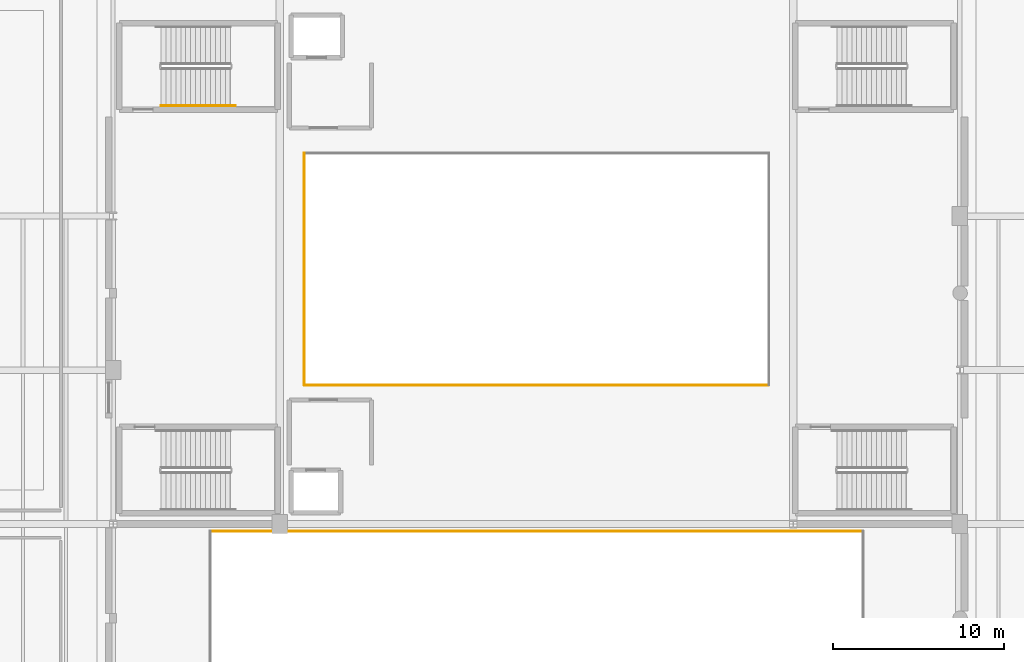
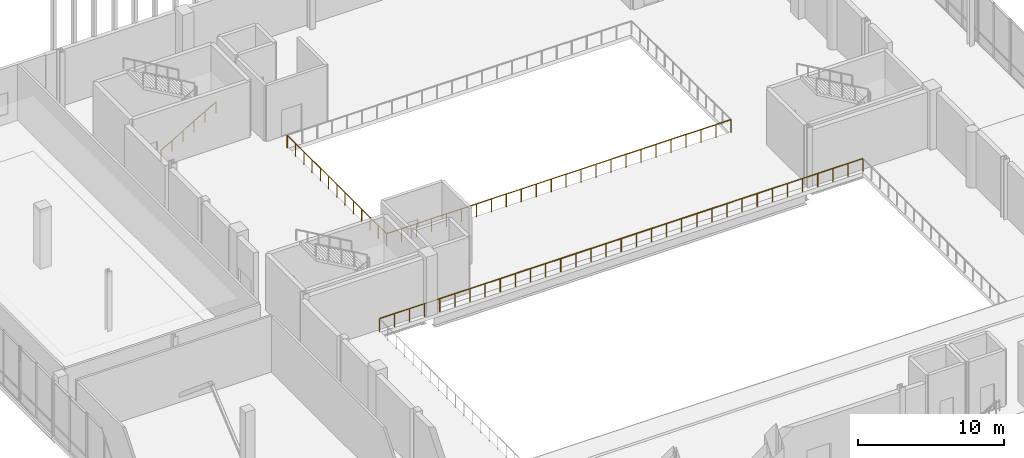
# One storey, part 75 of 81: 4 railings.
"""IFC4 building model written with IfcOpenShell, lengths in metres."""

import ifcopenshell
import ifcopenshell.guid

model = None  # the IFC model being written
_history = None  # IfcOwnerHistory: only IFC2X3 demands one
_inside = {}  # id of a spatial element -> (the spatial element, [elements in it])
_under = {}  # id of a project, library or spatial element -> (it, [spatial elements below it])
_declared = {}  # id of a project -> (the project, [libraries it declares])
_typed = {}  # id of a type object -> (the type object, [elements of that type])
_made_of = {}  # id of a material, layer set ... -> (it, [elements and type objects made of it])


def new_model(schema):
    """Start an empty IFC model of exactly this schema.

    Asked for "IFC4X3", IfcOpenShell would pick the latest addendum, in which some entities
    have other attributes; the version numbers below select the first issue.
    IFC2X3 requires an IfcOwnerHistory on every rooted entity: one is made here for all.
    """
    global model, _history
    if schema == "IFC4X3":
        model = ifcopenshell.file(schema_version=(4, 3, 0, 0))
    else:
        model = ifcopenshell.file(schema=schema)
    _inside.clear()
    _under.clear()
    _declared.clear()
    _typed.clear()
    _made_of.clear()
    _history = None
    if model.schema == "IFC2X3":
        org = make("IfcOrganization", Name="unknown")
        user = make(
            "IfcPersonAndOrganization",
            ThePerson=make("IfcPerson", FamilyName="unknown"),
            TheOrganization=org,
        )
        app = make(
            "IfcApplication",
            ApplicationDeveloper=org,
            Version="unknown",
            ApplicationFullName="unknown",
            ApplicationIdentifier="unknown",
        )
        _history = make(
            "IfcOwnerHistory",
            OwningUser=user,
            OwningApplication=app,
            ChangeAction="ADDED",
            CreationDate=0,
        )
    return model


def make(cls, **values):
    """One entity of the class cls with the attributes given. An attribute that is None is left unset."""
    return model.create_entity(
        cls, **{name: value for name, value in values.items() if value is not None}
    )


def rooted(cls, **values):
    """An entity with a GlobalId (a new one), such as an element, a storey or a relation."""
    return make(cls, GlobalId=ifcopenshell.guid.new(), OwnerHistory=_history, **values)


def si_unit(unit_type, name, prefix=None):
    """IfcSIUnit, for example si_unit("LENGTHUNIT", "METRE", prefix="MILLI")."""
    return make("IfcSIUnit", UnitType=unit_type, Prefix=prefix, Name=name)


def assignment(units):
    """IfcUnitAssignment: the units of a project."""
    return None if units is None else make("IfcUnitAssignment", Units=units)


def point(xyz):
    """IfcCartesianPoint."""
    return None if xyz is None else make("IfcCartesianPoint", Coordinates=xyz)


def direction(xyz):
    """IfcDirection."""
    return None if xyz is None else make("IfcDirection", DirectionRatios=xyz)


def frame(location, z_axis=None, x_axis=None):
    """IfcAxis2Placement3D, a coordinate frame: its origin and axes. An axis left out is left unset."""
    return make(
        "IfcAxis2Placement3D",
        Location=point(location),
        Axis=direction(z_axis),
        RefDirection=direction(x_axis),
    )


def frame_2d(location, x_axis=None):
    """IfcAxis2Placement2D, a coordinate frame in the plane: its origin and x axis."""
    return make(
        "IfcAxis2Placement2D", Location=point(location), RefDirection=direction(x_axis)
    )


def origin():
    """The frame at (0, 0, 0) with its axes left unset."""
    return frame((0.0, 0.0, 0.0))


def origin_2d():
    """The frame at (0, 0) in the plane with its x axis left unset."""
    return frame_2d((0.0, 0.0))


def place(relative_to, where):
    """IfcLocalPlacement: puts the frame where relative to a parent placement (None: the world)."""
    return make(
        "IfcLocalPlacement", PlacementRelTo=relative_to, RelativePlacement=where
    )


def context(
    kind, dimensions, precision=None, world=None, true_north=None, identifier=None
):
    """IfcGeometricRepresentationContext, for example the 3D "Model" context."""
    return make(
        "IfcGeometricRepresentationContext",
        ContextIdentifier=identifier,
        ContextType=kind,
        CoordinateSpaceDimension=dimensions,
        Precision=precision,
        WorldCoordinateSystem=world,
        TrueNorth=true_north,
    )


def subcontext(parent, identifier, kind, view, scale=None):
    """IfcGeometricRepresentationSubContext, for example "Body" below "Model"."""
    return make(
        "IfcGeometricRepresentationSubContext",
        ContextIdentifier=identifier,
        ContextType=kind,
        ParentContext=parent,
        TargetScale=scale,
        TargetView=view,
    )


def project(units=None, contexts=None):
    """IfcProject with its units and contexts."""
    return rooted(
        "IfcProject",
        Name="project",
        RepresentationContexts=contexts,
        UnitsInContext=assignment(units),
    )


def spatial(cls, under=None, at=None, **own):
    """A site, building, storey or space (cls), placed at a placement, below another one or the project."""
    s = rooted(cls, ObjectPlacement=at, **own)
    if under is not None:
        _under.setdefault(under.id(), (under, []))[1].append(s)
    return s


def profile(cls, at=None, kind="AREA", **sizes):
    """A parametric profile (cls). Its sizes go by their IFC names, for example OverallWidth=200.0."""
    return make(cls, ProfileType=kind, Position=at, **sizes)


def circle(**sizes):
    """IfcCircleProfileDef."""
    return profile("IfcCircleProfileDef", **sizes)


def extrude(swept, where, along, depth):
    """IfcExtrudedAreaSolid: the profile swept, set in the frame where, extruded along a direction by depth."""
    return make(
        "IfcExtrudedAreaSolid",
        SweptArea=swept,
        Position=where,
        ExtrudedDirection=direction(along),
        Depth=depth,
    )


def shape(context_of_items, identifier, shape_type, items):
    """IfcShapeRepresentation: the items that make up one representation, for example the "Body"."""
    return make(
        "IfcShapeRepresentation",
        ContextOfItems=context_of_items,
        RepresentationIdentifier=identifier,
        RepresentationType=shape_type,
        Items=items,
    )


def material(Name=None, Category=None):
    """IfcMaterial."""
    return make("IfcMaterial", Name=Name, Category=Category)


def made_of(thing, what):
    """Note that an element or type object is made of a material, layer set ...; save() writes the relation."""
    if what is not None:
        _made_of.setdefault(what.id(), (what, []))[1].append(thing)
    return thing


def type_object(cls, material=None, **own):
    """A type object (cls), such as IfcWallType, which elements share."""
    return made_of(rooted(cls, **own), material)


def element(
    cls,
    number,
    at=None,
    inside=None,
    cuts=None,
    type_object=None,
    material=None,
    context=None,
    identifier="Body",
    shape_type=None,
    held_by="IfcProductDefinitionShape",
    body=None,
    shapes=None,
    **own,
):
    """One element of the class cls, such as IfcWall. Its Tag is "e" and its number.

    at: its placement. inside: the storey or other place that contains it. cuts: it is an
    opening in that element (IfcRelVoidsElement). A single representation is given by context,
    identifier, shape_type and body (its items); several are given by shapes. held_by: the class
    of the entity that holds the representations. save() writes the other relations.
    """
    e = rooted(cls, Tag="e%d" % number, ObjectPlacement=at, **own)
    if body is not None:
        shapes = [shape(context, identifier, shape_type, body)]
    if shapes is not None:
        e.Representation = make(held_by, Representations=shapes)
    if inside is not None:
        _inside.setdefault(inside.id(), (inside, []))[1].append(e)
    if cuts is not None:
        rooted(
            "IfcRelVoidsElement", RelatingBuildingElement=cuts, RelatedOpeningElement=e
        )
    if type_object is not None:
        _typed.setdefault(type_object.id(), (type_object, []))[1].append(e)
    return made_of(e, material)


def aggregate(whole, parts):
    """IfcRelAggregates: a whole, such as a stair, and the parts it consists of."""
    return rooted("IfcRelAggregates", RelatingObject=whole, RelatedObjects=parts)


def save(model, path):
    """Write the relations noted so far, then the file.

    IfcRelAggregates (storeys below a building ...), IfcRelContainedInSpatialStructure (elements
    in a storey), IfcRelDefinesByType, IfcRelAssociatesMaterial and IfcRelDeclares: one each for
    every whole, place, type object, material and project.
    """
    for whole, parts in _under.values():
        aggregate(whole, parts)
    for where, things in _inside.values():
        rooted(
            "IfcRelContainedInSpatialStructure",
            RelatedElements=things,
            RelatingStructure=where,
        )
    for kind, things in _typed.values():
        rooted("IfcRelDefinesByType", RelatedObjects=things, RelatingType=kind)
    for what, things in _made_of.values():
        rooted("IfcRelAssociatesMaterial", RelatedObjects=things, RelatingMaterial=what)
    for by, libraries in _declared.values():
        rooted("IfcRelDeclares", RelatingContext=by, RelatedDefinitions=libraries)
    model.write(path)


model = new_model("IFC4")

# Units and contexts
model_context = context("Model", 3, precision=1e-05, world=origin(), true_north=direction((0.0, 1.0)))
body_context = subcontext(model_context, "Body", "Model", "MODEL_VIEW")
ifc_project = project(units=[si_unit("LENGTHUNIT", "METRE"), si_unit("AREAUNIT", "SQUARE_METRE"), si_unit("VOLUMEUNIT", "CUBIC_METRE"), si_unit("PLANEANGLEUNIT", "RADIAN"), si_unit("MASSUNIT", "GRAM", prefix="KILO")], contexts=[model_context])

# Site, building, storey
site_placement = place(None, origin())
site = spatial("IfcSite", under=ifc_project, at=site_placement, CompositionType="ELEMENT")
building_placement = place(site_placement, origin())
building = spatial("IfcBuilding", under=site, at=building_placement, Name="Trimount Lyric Opera House", CompositionType="ELEMENT")
storey_placement = place(building_placement, frame((0.0, 0.0, 5.0)))
storey = spatial("IfcBuildingStorey", under=building, at=storey_placement, Name="L01", CompositionType="ELEMENT", Elevation=5.0)

# Railings
ifc_material_1 = material(Name="Bronze and Laminated Acoustic Glass", Category="glass")
railing_type_1 = type_object("IfcRailingType", Name="RL-BAL112", PredefinedType="BALUSTRADE", material=ifc_material_1)
railing_1_placement = place(storey_placement, frame((108.080078125, 83.580078125, 0.0)))
element("IfcRailing", 1, at=railing_1_placement, inside=storey, type_object=railing_type_1, Name="L01 atrium and balcony guard GRD-AUD-L01-N", PredefinedType="BALUSTRADE", context=body_context, shape_type="SweptSolid", body=[
    extrude(circle(Radius=0.02734375, at=origin_2d()), frame((0.0, 0.0, 1.0927734375), z_axis=(-1.0, 0.0, 0.0), x_axis=(0.0, -1.0, 0.0)), (0.0, 0.0, 1.0), 38.16015625),
    extrude(circle(Radius=0.02099609375, at=origin_2d()), origin(), (0.0, 0.0, 1.0), 1.065185546875),
    extrude(circle(Radius=0.02099609375, at=origin_2d()), frame((-1.1923828125, 0.0, 0.0)), (0.0, 0.0, 1.0), 1.065185546875),
    extrude(circle(Radius=0.02099609375, at=origin_2d()), frame((-2.385009765625, 0.0, 0.0)), (0.0, 0.0, 1.0), 1.065185546875),
    extrude(circle(Radius=0.02099609375, at=origin_2d()), frame((-3.57763671875, 0.0, 0.0)), (0.0, 0.0, 1.0), 1.065185546875),
    extrude(circle(Radius=0.02099609375, at=origin_2d()), frame((-4.77001953125, 0.0, 0.0)), (0.0, 0.0, 1.0), 1.065185546875),
    extrude(circle(Radius=0.02099609375, at=origin_2d()), frame((-5.96240234375, 0.0, 0.0)), (0.0, 0.0, 1.0), 1.065185546875),
    extrude(circle(Radius=0.02099609375, at=origin_2d()), frame((-7.155029296875, 0.0, 0.0)), (0.0, 0.0, 1.0), 1.065185546875),
    extrude(circle(Radius=0.02099609375, at=origin_2d()), frame((-8.34765625, 0.0, 0.0)), (0.0, 0.0, 1.0), 1.065185546875),
    extrude(circle(Radius=0.02099609375, at=origin_2d()), frame((-9.5400390625, 0.0, 0.0)), (0.0, 0.0, 1.0), 1.065185546875),
    extrude(circle(Radius=0.02099609375, at=origin_2d()), frame((-10.732421875, 0.0, 0.0)), (0.0, 0.0, 1.0), 1.065185546875),
    extrude(circle(Radius=0.02099609375, at=origin_2d()), frame((-11.925048828125, 0.0, 0.0)), (0.0, 0.0, 1.0), 1.065185546875),
    extrude(circle(Radius=0.02099609375, at=origin_2d()), frame((-13.11767578125, 0.0, 0.0)), (0.0, 0.0, 1.0), 1.065185546875),
    extrude(circle(Radius=0.02099609375, at=origin_2d()), frame((-14.31005859375, 0.0, 0.0)), (0.0, 0.0, 1.0), 1.065185546875),
    extrude(circle(Radius=0.02099609375, at=origin_2d()), frame((-15.50244140625, 0.0, 0.0)), (0.0, 0.0, 1.0), 1.065185546875),
    extrude(circle(Radius=0.02099609375, at=origin_2d()), frame((-16.695068359375, 0.0, 0.0)), (0.0, 0.0, 1.0), 1.065185546875),
    extrude(circle(Radius=0.02099609375, at=origin_2d()), frame((-17.8876953125, 0.0, 0.0)), (0.0, 0.0, 1.0), 1.065185546875),
    extrude(circle(Radius=0.02099609375, at=origin_2d()), frame((-19.080078125, 0.0, 0.0)), (0.0, 0.0, 1.0), 1.065185546875),
    extrude(circle(Radius=0.02099609375, at=origin_2d()), frame((-20.2724609375, 0.0, 0.0)), (0.0, 0.0, 1.0), 1.065185546875),
    extrude(circle(Radius=0.02099609375, at=origin_2d()), frame((-21.465087890625, 0.0, 0.0)), (0.0, 0.0, 1.0), 1.065185546875),
    extrude(circle(Radius=0.02099609375, at=origin_2d()), frame((-22.65771484375, 0.0, 0.0)), (0.0, 0.0, 1.0), 1.065185546875),
    extrude(circle(Radius=0.02099609375, at=origin_2d()), frame((-23.85009765625, 0.0, 0.0)), (0.0, 0.0, 1.0), 1.065185546875),
    extrude(circle(Radius=0.02099609375, at=origin_2d()), frame((-25.04248046875, 0.0, 0.0)), (0.0, 0.0, 1.0), 1.065185546875),
    extrude(circle(Radius=0.02099609375, at=origin_2d()), frame((-26.235107421875, 0.0, 0.0)), (0.0, 0.0, 1.0), 1.065185546875),
    extrude(circle(Radius=0.02099609375, at=origin_2d()), frame((-27.427734375, 0.0, 0.0)), (0.0, 0.0, 1.0), 1.065185546875),
    extrude(circle(Radius=0.02099609375, at=origin_2d()), frame((-28.6201171875, 0.0, 0.0)), (0.0, 0.0, 1.0), 1.065185546875),
    extrude(circle(Radius=0.02099609375, at=origin_2d()), frame((-29.8125, 0.0, 0.0)), (0.0, 0.0, 1.0), 1.065185546875),
    extrude(circle(Radius=0.02099609375, at=origin_2d()), frame((-31.005126953125, 0.0, 0.0)), (0.0, 0.0, 1.0), 1.065185546875),
    extrude(circle(Radius=0.02099609375, at=origin_2d()), frame((-32.19775390625, 0.0, 0.0)), (0.0, 0.0, 1.0), 1.065185546875),
    extrude(circle(Radius=0.02099609375, at=origin_2d()), frame((-33.39013671875, 0.0, 0.0)), (0.0, 0.0, 1.0), 1.065185546875),
    extrude(circle(Radius=0.02099609375, at=origin_2d()), frame((-34.58251953125, 0.0, 0.0)), (0.0, 0.0, 1.0), 1.065185546875),
    extrude(circle(Radius=0.02099609375, at=origin_2d()), frame((-35.775146484375, 0.0, 0.0)), (0.0, 0.0, 1.0), 1.065185546875),
    extrude(circle(Radius=0.02099609375, at=origin_2d()), frame((-36.9677734375, 0.0, 0.0)), (0.0, 0.0, 1.0), 1.065185546875),
    extrude(circle(Radius=0.02099609375, at=origin_2d()), frame((-38.16015625, 0.0, 0.0)), (0.0, 0.0, 1.0), 1.065185546875),
])
ifc_material_2 = material(Name="Brushed Stainless Steel 316", Category="steel")
railing_type_2 = type_object("IfcRailingType", Name="RL-GRD110", PredefinedType="GUARDRAIL", material=ifc_material_2)
railing_2_placement = place(storey_placement, frame((75.419921875, 92.1201171875, 0.0)))
element("IfcRailing", 2, at=railing_2_placement, inside=storey, type_object=railing_type_2, Name="L01 atrium and balcony guard GRD-FLY-L01-S", PredefinedType="GUARDRAIL", context=body_context, shape_type="SweptSolid", body=[
    extrude(circle(Radius=0.02392578125, at=origin_2d()), frame((0.0, 0.0, 1.076171875), z_axis=(1.0, 0.0, 0.0), x_axis=(0.0, 1.0, 0.0)), (0.0, 0.0, 1.0), 27.16015625),
    extrude(circle(Radius=0.02099609375, at=origin_2d()), origin(), (0.0, 0.0, 1.0), 1.052001953125),
    extrude(circle(Radius=0.02099609375, at=origin_2d()), frame((1.180908203125, 0.0, 0.0)), (0.0, 0.0, 1.0), 1.052001953125),
    extrude(circle(Radius=0.02099609375, at=origin_2d()), frame((2.36181640625, 0.0, 0.0)), (0.0, 0.0, 1.0), 1.052001953125),
    extrude(circle(Radius=0.02099609375, at=origin_2d()), frame((3.542724609375, 0.0, 0.0)), (0.0, 0.0, 1.0), 1.052001953125),
    extrude(circle(Radius=0.02099609375, at=origin_2d()), frame((4.723388671875, 0.0, 0.0)), (0.0, 0.0, 1.0), 1.052001953125),
    extrude(circle(Radius=0.02099609375, at=origin_2d()), frame((5.904296875, 0.0, 0.0)), (0.0, 0.0, 1.0), 1.052001953125),
    extrude(circle(Radius=0.02099609375, at=origin_2d()), frame((7.085205078125, 0.0, 0.0)), (0.0, 0.0, 1.0), 1.052001953125),
    extrude(circle(Radius=0.02099609375, at=origin_2d()), frame((8.26611328125, 0.0, 0.0)), (0.0, 0.0, 1.0), 1.052001953125),
    extrude(circle(Radius=0.02099609375, at=origin_2d()), frame((9.447021484375, 0.0, 0.0)), (0.0, 0.0, 1.0), 1.052001953125),
    extrude(circle(Radius=0.02099609375, at=origin_2d()), frame((10.6279296875, 0.0, 0.0)), (0.0, 0.0, 1.0), 1.052001953125),
    extrude(circle(Radius=0.02099609375, at=origin_2d()), frame((11.808837890625, 0.0, 0.0)), (0.0, 0.0, 1.0), 1.052001953125),
    extrude(circle(Radius=0.02099609375, at=origin_2d()), frame((12.98974609375, 0.0, 0.0)), (0.0, 0.0, 1.0), 1.052001953125),
    extrude(circle(Radius=0.02099609375, at=origin_2d()), frame((14.17041015625, 0.0, 0.0)), (0.0, 0.0, 1.0), 1.052001953125),
    extrude(circle(Radius=0.02099609375, at=origin_2d()), frame((15.351318359375, 0.0, 0.0)), (0.0, 0.0, 1.0), 1.052001953125),
    extrude(circle(Radius=0.02099609375, at=origin_2d()), frame((16.5322265625, 0.0, 0.0)), (0.0, 0.0, 1.0), 1.052001953125),
    extrude(circle(Radius=0.02099609375, at=origin_2d()), frame((17.713134765625, 0.0, 0.0)), (0.0, 0.0, 1.0), 1.052001953125),
    extrude(circle(Radius=0.02099609375, at=origin_2d()), frame((18.89404296875, 0.0, 0.0)), (0.0, 0.0, 1.0), 1.052001953125),
    extrude(circle(Radius=0.02099609375, at=origin_2d()), frame((20.074951171875, 0.0, 0.0)), (0.0, 0.0, 1.0), 1.052001953125),
    extrude(circle(Radius=0.02099609375, at=origin_2d()), frame((21.255859375, 0.0, 0.0)), (0.0, 0.0, 1.0), 1.052001953125),
    extrude(circle(Radius=0.02099609375, at=origin_2d()), frame((22.436767578125, 0.0, 0.0)), (0.0, 0.0, 1.0), 1.052001953125),
    extrude(circle(Radius=0.02099609375, at=origin_2d()), frame((23.617431640625, 0.0, 0.0)), (0.0, 0.0, 1.0), 1.052001953125),
    extrude(circle(Radius=0.02099609375, at=origin_2d()), frame((24.79833984375, 0.0, 0.0)), (0.0, 0.0, 1.0), 1.052001953125),
    extrude(circle(Radius=0.02099609375, at=origin_2d()), frame((25.979248046875, 0.0, 0.0)), (0.0, 0.0, 1.0), 1.052001953125),
    extrude(circle(Radius=0.02099609375, at=origin_2d()), frame((27.16015625, 0.0, 0.0)), (0.0, 0.0, 1.0), 1.052001953125),
])
railing_3_placement = place(storey_placement, frame((75.419921875, 105.679931640625, 0.0)))
element("IfcRailing", 3, at=railing_3_placement, inside=storey, type_object=railing_type_2, Name="L01 atrium and balcony guard GRD-FLY-L01-W", PredefinedType="GUARDRAIL", context=body_context, shape_type="SweptSolid", body=[
    extrude(circle(Radius=0.02392578125, at=origin_2d()), frame((0.0, 0.0, 1.076171875), z_axis=(0.0, -1.0, 0.0), x_axis=(1.0, 0.0, 0.0)), (0.0, 0.0, 1.0), 13.559814453125),
    extrude(circle(Radius=0.02099609375, at=origin_2d()), origin(), (0.0, 0.0, 1.0), 1.052001953125),
    extrude(circle(Radius=0.02099609375, at=origin_2d()), frame((0.0, -1.1298828125, 0.0)), (0.0, 0.0, 1.0), 1.052001953125),
    extrude(circle(Radius=0.02099609375, at=origin_2d()), frame((0.0, -2.260009765625, 0.0)), (0.0, 0.0, 1.0), 1.052001953125),
    extrude(circle(Radius=0.02099609375, at=origin_2d()), frame((0.0, -3.389892578125, 0.0)), (0.0, 0.0, 1.0), 1.052001953125),
    extrude(circle(Radius=0.02099609375, at=origin_2d()), frame((0.0, -4.52001953125, 0.0)), (0.0, 0.0, 1.0), 1.052001953125),
    extrude(circle(Radius=0.02099609375, at=origin_2d()), frame((0.0, -5.64990234375, 0.0)), (0.0, 0.0, 1.0), 1.052001953125),
    extrude(circle(Radius=0.02099609375, at=origin_2d()), frame((0.0, -6.77978515625, 0.0)), (0.0, 0.0, 1.0), 1.052001953125),
    extrude(circle(Radius=0.02099609375, at=origin_2d()), frame((0.0, -7.909912109375, 0.0)), (0.0, 0.0, 1.0), 1.052001953125),
    extrude(circle(Radius=0.02099609375, at=origin_2d()), frame((0.0, -9.039794921875, 0.0)), (0.0, 0.0, 1.0), 1.052001953125),
    extrude(circle(Radius=0.02099609375, at=origin_2d()), frame((0.0, -10.169921875, 0.0)), (0.0, 0.0, 1.0), 1.052001953125),
    extrude(circle(Radius=0.02099609375, at=origin_2d()), frame((0.0, -11.2998046875, 0.0)), (0.0, 0.0, 1.0), 1.052001953125),
    extrude(circle(Radius=0.02099609375, at=origin_2d()), frame((0.0, -12.429931640625, 0.0)), (0.0, 0.0, 1.0), 1.052001953125),
    extrude(circle(Radius=0.02099609375, at=origin_2d()), frame((0.0, -13.559814453125, 0.0)), (0.0, 0.0, 1.0), 1.052001953125),
])
ifc_material_3 = material(Name="Brushed Stainless Steel 316", Category="steel")
railing_type_3 = type_object("IfcRailingType", Name="RL-HND092", PredefinedType="HANDRAIL", material=ifc_material_3)
railing_4_placement = place(storey_placement, frame((67.050048828125, 108.449951171875, 0.166748046875)))
element("IfcRailing", 4, at=railing_4_placement, inside=storey, type_object=railing_type_3, Name="L01 ST-01 stair handrail 1", PredefinedType="HANDRAIL", context=body_context, shape_type="SweptSolid", body=[
    extrude(circle(Radius=0.0224609375, at=origin_2d()), frame((0.0, 0.0, 0.8974609375), z_axis=(0.866754379005, 0.0, 0.498735246875), x_axis=(0.0, 1.0, 0.0)), (0.0, 0.0, 1.0), 5.0185546875),
    extrude(circle(Radius=0.02099609375, at=origin_2d()), origin(), (0.0, 0.0, 1.0), 0.875),
    extrude(circle(Radius=0.02099609375, at=origin_2d()), frame((0.869873046875, 0.0, 0.50048828125)), (0.0, 0.0, 1.0), 0.875),
    extrude(circle(Radius=0.02099609375, at=origin_2d()), frame((1.739990234375, 0.0, 1.001220703125)), (0.0, 0.0, 1.0), 0.875),
    extrude(circle(Radius=0.02099609375, at=origin_2d()), frame((2.60986328125, 0.0, 1.501708984375)), (0.0, 0.0, 1.0), 0.875),
    extrude(circle(Radius=0.02099609375, at=origin_2d()), frame((3.47998046875, 0.0, 2.00244140625)), (0.0, 0.0, 1.0), 0.875),
    extrude(circle(Radius=0.02099609375, at=origin_2d()), frame((4.349853515625, 0.0, 2.5029296875)), (0.0, 0.0, 1.0), 0.875),
])

save(model, "model.ifc")
